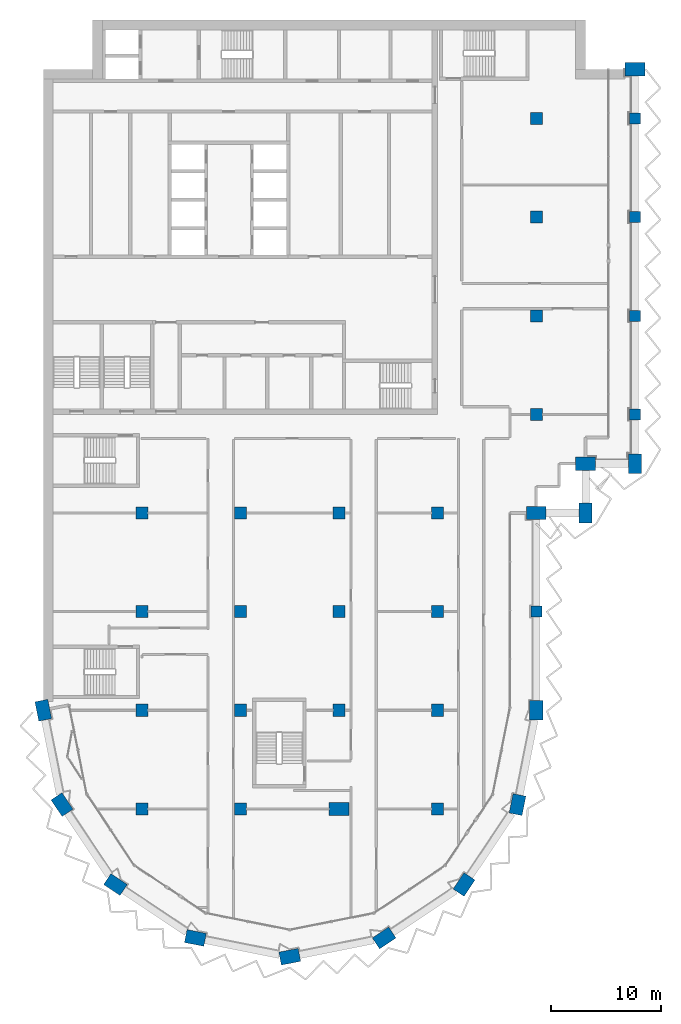
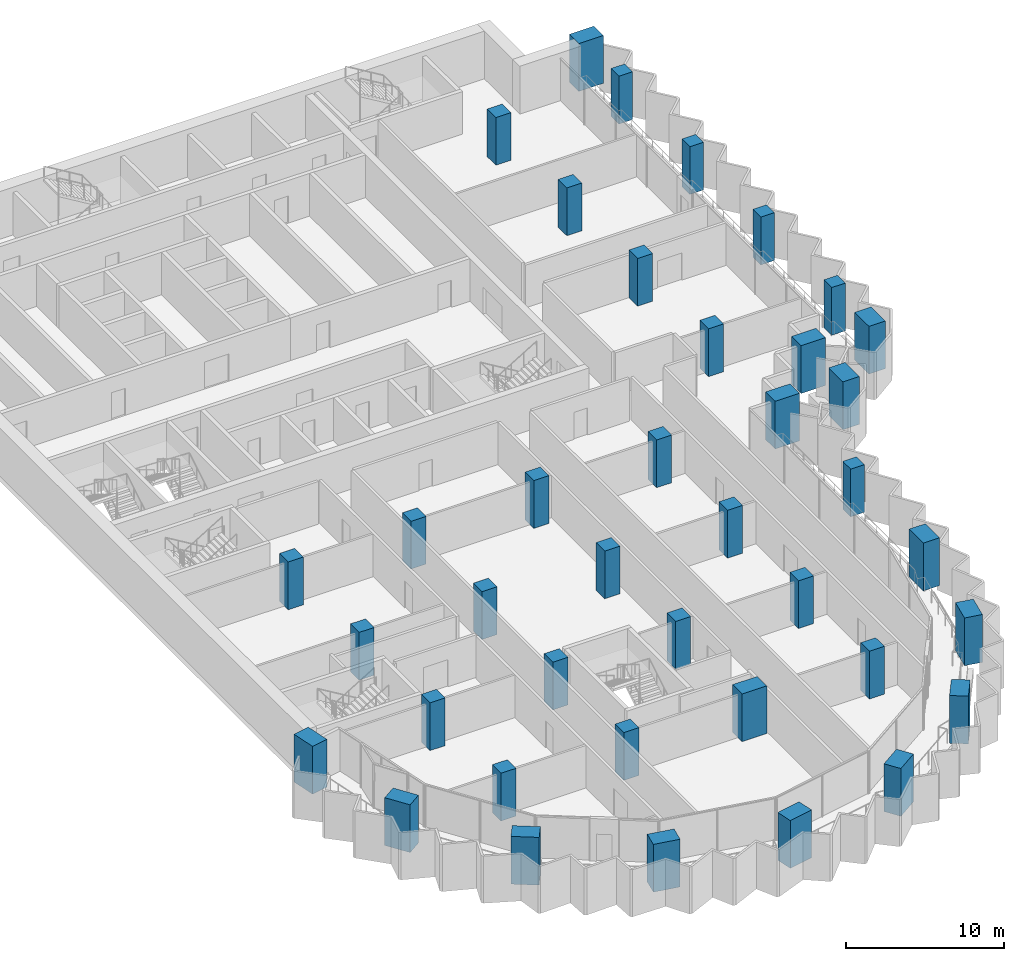
# One storey, part 1 of 19: 39 columns.
"""IFC4 building model written with IfcOpenShell, lengths in metres."""

from ifc_helpers import new_model, si_unit, direction, frame, origin, origin_2d, place, context, subcontext, project, spatial, rectangle, extrude, material, material_profile, profile_set, type_object, element, save


model = new_model("IFC4")

# Units and contexts
model_context = context("Model", 3, precision=1e-05, world=origin(), true_north=direction((0.0, 1.0)))
body_context = subcontext(model_context, "Body", "Model", "MODEL_VIEW")
ifc_project = project(units=[si_unit("LENGTHUNIT", "METRE"), si_unit("AREAUNIT", "SQUARE_METRE"), si_unit("VOLUMEUNIT", "CUBIC_METRE"), si_unit("PLANEANGLEUNIT", "RADIAN"), si_unit("MASSUNIT", "GRAM", prefix="KILO")], contexts=[model_context])

# Site, building, storey
site_placement = place(None, origin())
site = spatial("IfcSite", under=ifc_project, at=site_placement, CompositionType="ELEMENT")
building_placement = place(site_placement, origin())
building = spatial("IfcBuilding", under=site, at=building_placement, Name="Hunhe Ridgeline Campus", CompositionType="ELEMENT")
storey_placement = place(building_placement, frame((0.0, 0.0, 216.10009765625)))
storey = spatial("IfcBuildingStorey", under=building, at=storey_placement, Name="L55", CompositionType="ELEMENT", Elevation=216.10009765625)

# Columns
ifc_material = material(Name="Concrete C60", Category="concrete")
ifc_material_profile_1 = material_profile(ifc_material, rectangle(XDim=1.800048828125, YDim=1.199951171875, at=origin_2d()))
ifc_profile_set_1 = profile_set([ifc_material_profile_1], Name="Concrete C60")
column_type_1 = type_object("IfcColumnType", Name="Megacolumn 1800x1200 Concrete C60", PredefinedType="COLUMN", material=ifc_profile_set_1)
for number, where, z_axis, x_axis, name in (
    (1, (22.5, 13.5, 0.0), (0.0, 0.0, 1.0), (0.980785280403, 0.195090322016, 0.0), "Column C11 R6 L55"),
    (2, (13.8896484375, 15.212646484375, 0.0), (0.0, 0.0, 1.0), (-0.980785280403, 0.195090322016, 0.0), "Column C11 R7 L55"),
    (3, (31.1103515625, 15.212646484375, 0.0), (0.0, 0.0, 1.0), (0.831469612303, 0.55557023302, 0.0), "Column C11 R8 L55"),
    (4, (6.590087890625, 20.090087890625, 0.0), (0.0, 0.0, 1.0), (-0.831469612303, 0.55557023302, 0.0), "Column C11 R11 L55"),
    (5, (38.409912109375, 20.090087890625, 0.0), (0.0, 0.0, 1.0), (0.55557023302, 0.831469612303, 0.0), "Column C11 R12 L55"),
    (6, (1.712646484375, 27.3896484375, 0.0), (0.0, 0.0, 1.0), (-0.55557023302, 0.831469612303, 0.0), "Column C11 R16 L55"),
    (7, (43.287353515625, 27.3896484375, 0.0), (0.0, 0.0, 1.0), (0.195090322016, 0.980785280403, 0.0), "Column C11 R17 L55"),
    (8, (0.0, 36.0, 0.0), (0.0, 0.0, 1.0), (-0.195090322016, 0.980785280403, 0.0), "Column C11 E1 L55"),
    (9, (45.0, 36.0, 0.0), (0.0, 0.0, 1.0), (0.0, 1.0, 0.0), "Column C11 E6 L55"),
    (10, (45.0, 54.0, 0.0), (0.0, 0.0, 1.0), (1.0, 0.0, 0.0), "Column C11 G6 L55"),
    (11, (49.5, 54.0, 0.0), (0.0, 0.0, 1.0), (0.0, 1.0, 0.0), "Column C11 R29 L55"),
    (12, (49.5, 58.5, 0.0), (0.0, 0.0, 1.0), (1.0, 0.0, 0.0), "Column C11 R33 L55"),
    (13, (54.0, 58.5, 0.0), (0.0, 0.0, 1.0), (0.0, 1.0, 0.0), "Column C11 R34 L55"),
    (14, (54.0, 94.5, 0.0), (0.0, 0.0, 1.0), (1.0, 0.0, 0.0), "Column C11 R41 L55"),
    (15, (27.0, 27.0, 0.0), (0.0, 0.0, 1.0), (1.0, 0.0, 0.0), "Column C11 D4 L55"),
):
    element("IfcColumn", number, at=place(storey_placement, frame(where, z_axis=z_axis, x_axis=x_axis)), inside=storey, type_object=column_type_1, Name=name, PredefinedType="COLUMN", context=body_context, shape_type="SweptSolid", body=[
        extrude(rectangle(XDim=1.800048828125, YDim=1.199951171875, at=origin_2d()), origin(), (0.0, 0.0, 1.0), 3.699951171875),
    ])
ifc_material_profile_2 = material_profile(ifc_material, rectangle(XDim=1.0, YDim=1.0, at=origin_2d()))
ifc_profile_set_2 = profile_set([ifc_material_profile_2], Name="Concrete C60")
column_type_2 = type_object("IfcColumnType", Name="RC column 1000x1000 Concrete C60", PredefinedType="COLUMN", material=ifc_profile_set_2)
for number, where, z_axis, x_axis, name in (
    (16, (45.0, 45.0, 0.0), (0.0, 0.0, 1.0), (1.0, 0.0, 0.0), "Column C12 F6 L55"),
    (17, (54.0, 63.0, 0.0), (0.0, 0.0, 1.0), (1.0, 0.0, 0.0), "Column C12 H7 L55"),
    (18, (54.0, 72.0, 0.0), (0.0, 0.0, 1.0), (1.0, 0.0, 0.0), "Column C12 I7 L55"),
    (19, (54.0, 81.0, 0.0), (0.0, 0.0, 1.0), (1.0, 0.0, 0.0), "Column C12 J7 L55"),
    (20, (54.0, 90.0, 0.0), (0.0, 0.0, 1.0), (1.0, 0.0, 0.0), "Column C12 K7 L55"),
):
    element("IfcColumn", number, at=place(storey_placement, frame(where, z_axis=z_axis, x_axis=x_axis)), inside=storey, type_object=column_type_2, Name=name, PredefinedType="COLUMN", context=body_context, shape_type="SweptSolid", body=[
        extrude(rectangle(XDim=1.0, YDim=1.0, at=origin_2d()), origin(), (0.0, 0.0, 1.0), 3.699951171875),
    ])
ifc_material_profile_3 = material_profile(ifc_material, rectangle(XDim=1.10009765625, YDim=1.10009765625, at=origin_2d()))
ifc_profile_set_3 = profile_set([ifc_material_profile_3], Name="Concrete C60")
column_type_3 = type_object("IfcColumnType", Name="RC column 1100x1100 Concrete C60", PredefinedType="COLUMN", material=ifc_profile_set_3)
for number, where, z_axis, x_axis, name in (
    (21, (9.0, 27.0, 0.0), (0.0, 0.0, 1.0), (1.0, 0.0, 0.0), "Column C13 D2 L55"),
    (22, (9.0, 36.0, 0.0), (0.0, 0.0, 1.0), (1.0, 0.0, 0.0), "Column C13 E2 L55"),
    (23, (9.0, 45.0, 0.0), (0.0, 0.0, 1.0), (1.0, 0.0, 0.0), "Column C13 F2 L55"),
    (24, (9.0, 54.0, 0.0), (0.0, 0.0, 1.0), (1.0, 0.0, 0.0), "Column C13 G2 L55"),
    (25, (18.0, 27.0, 0.0), (0.0, 0.0, 1.0), (1.0, 0.0, 0.0), "Column C13 D3 L55"),
    (26, (18.0, 36.0, 0.0), (0.0, 0.0, 1.0), (1.0, 0.0, 0.0), "Column C13 E3 L55"),
    (27, (18.0, 45.0, 0.0), (0.0, 0.0, 1.0), (1.0, 0.0, 0.0), "Column C13 F3 L55"),
    (28, (18.0, 54.0, 0.0), (0.0, 0.0, 1.0), (1.0, 0.0, 0.0), "Column C13 G3 L55"),
    (29, (27.0, 36.0, 0.0), (0.0, 0.0, 1.0), (1.0, 0.0, 0.0), "Column C13 E4 L55"),
    (30, (27.0, 45.0, 0.0), (0.0, 0.0, 1.0), (1.0, 0.0, 0.0), "Column C13 F4 L55"),
    (31, (27.0, 54.0, 0.0), (0.0, 0.0, 1.0), (1.0, 0.0, 0.0), "Column C13 G4 L55"),
    (32, (36.0, 27.0, 0.0), (0.0, 0.0, 1.0), (1.0, 0.0, 0.0), "Column C13 D5 L55"),
    (33, (36.0, 36.0, 0.0), (0.0, 0.0, 1.0), (1.0, 0.0, 0.0), "Column C13 E5 L55"),
    (34, (36.0, 45.0, 0.0), (0.0, 0.0, 1.0), (1.0, 0.0, 0.0), "Column C13 F5 L55"),
    (35, (36.0, 54.0, 0.0), (0.0, 0.0, 1.0), (1.0, 0.0, 0.0), "Column C13 G5 L55"),
    (36, (45.0, 63.0, 0.0), (0.0, 0.0, 1.0), (1.0, 0.0, 0.0), "Column C13 H6 L55"),
    (37, (45.0, 72.0, 0.0), (0.0, 0.0, 1.0), (1.0, 0.0, 0.0), "Column C13 I6 L55"),
    (38, (45.0, 81.0, 0.0), (0.0, 0.0, 1.0), (1.0, 0.0, 0.0), "Column C13 J6 L55"),
    (39, (45.0, 90.0, 0.0), (0.0, 0.0, 1.0), (1.0, 0.0, 0.0), "Column C13 K6 L55"),
):
    element("IfcColumn", number, at=place(storey_placement, frame(where, z_axis=z_axis, x_axis=x_axis)), inside=storey, type_object=column_type_3, Name=name, PredefinedType="COLUMN", context=body_context, shape_type="SweptSolid", body=[
        extrude(rectangle(XDim=1.10009765625, YDim=1.10009765625, at=origin_2d()), origin(), (0.0, 0.0, 1.0), 3.699951171875),
    ])

save(model, "model.ifc")
